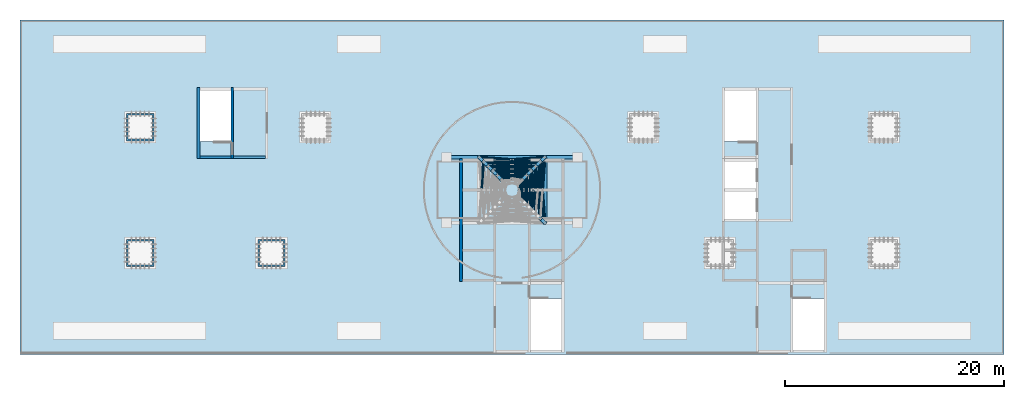
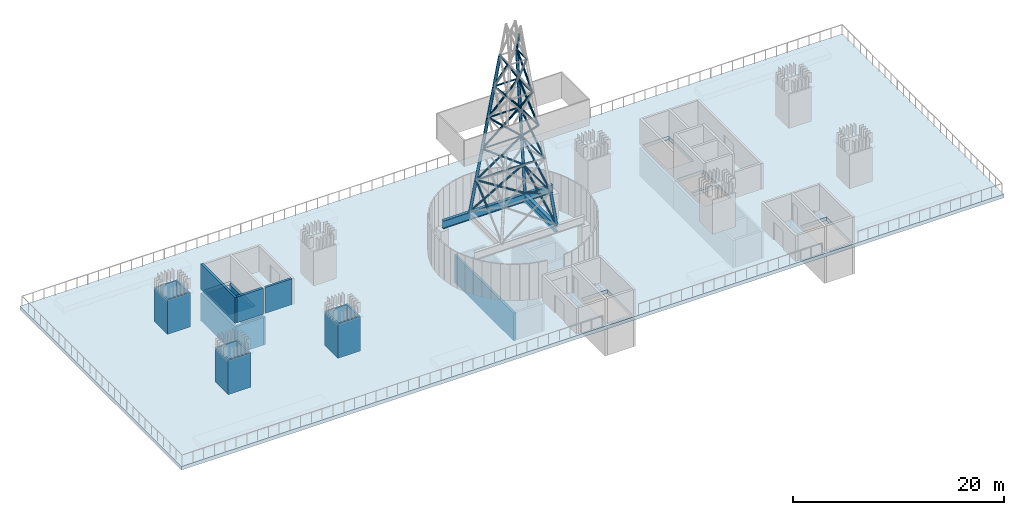
# One storey, part 2 of 8: 49 members, 10 walls, 2 beams, 1 slab.
"""IFC4 building model written with IfcOpenShell, lengths in metres."""

from ifc_helpers import new_model, si_unit, direction, frame, frame_2d, origin, origin_2d, place, context, subcontext, project, spatial, polyline, rectangle, hollow_circle, i_section, outline, extrude, material, layer, layer_set, material_profile, profile_set, type_object, element, save


model = new_model("IFC4")

# Units and contexts
model_context = context("Model", 3, precision=1e-05, world=origin(), true_north=direction((0.0, 1.0)))
body_context = subcontext(model_context, "Body", "Model", "MODEL_VIEW")
ifc_project = project(units=[si_unit("LENGTHUNIT", "METRE"), si_unit("AREAUNIT", "SQUARE_METRE"), si_unit("VOLUMEUNIT", "CUBIC_METRE"), si_unit("PLANEANGLEUNIT", "RADIAN"), si_unit("MASSUNIT", "GRAM", prefix="KILO")], contexts=[model_context])

# Site, building, storey
site_placement = place(None, origin())
site = spatial("IfcSite", under=ifc_project, at=site_placement, CompositionType="ELEMENT")
building_placement = place(site_placement, origin())
building = spatial("IfcBuilding", under=site, at=building_placement, Name="Mahtab Terrace Research Tower", CompositionType="ELEMENT")
storey_placement = place(building_placement, frame((0.0, 0.0, 289.699951171875)))
storey = spatial("IfcBuildingStorey", under=building, at=storey_placement, Name="L70", CompositionType="ELEMENT", Elevation=289.699951171875)

# Members
ifc_material_1 = material(Name="Steel ASTM A500 Gr C", Category="steel")
ifc_material_profile_1 = material_profile(ifc_material_1, hollow_circle(Radius=0.161865234375, WallThickness=0.0126953125, at=origin_2d()), Name="HSS12.750X0.500")
ifc_profile_set_1 = profile_set([ifc_material_profile_1], Name="Steel ASTM A500 Gr C")
member_type_1 = type_object("IfcMemberType", Name="HSS 12.750x0.500 mast leg ML12", PredefinedType="CHORD", material=ifc_profile_set_1)
for number, where, z_axis, x_axis, name in (
    (1, (3.0, 2.75, 3.900146484375), (-0.110749066459, 0.110749066459, 0.987658487817), (-0.707106781187, -0.707106781187, 0.0), "Mast leg 2 panel 1"),
    (2, (3.0, 8.75, 3.900146484375), (-0.110749066459, -0.110749066459, 0.987658487817), (0.707106781187, -0.707106781187, 0.0), "Mast leg 3 panel 1"),
    (3, (-3.0, 8.75, 3.900146484375), (0.110749066459, -0.110749066459, 0.987658487817), (0.707106781187, 0.707106781187, 0.0), "Mast leg 4 panel 1"),
):
    element("IfcMember", number, at=place(storey_placement, frame(where, z_axis=z_axis, x_axis=x_axis)), inside=storey, type_object=member_type_1, Name=name, PredefinedType="CHORD", context=body_context, shape_type="SweptSolid", body=[
        extrude(hollow_circle(Radius=0.161865234375, WallThickness=0.0126953125, at=origin_2d()), origin(), (0.0, 0.0, 1.0), 3.762939453125),
    ])
for number, where, z_axis, x_axis, name in (
    (4, (2.583251953125, 8.333251953125, 7.61669921875), (-0.110678684922, -0.110678684922, 0.987674266855), (0.707106781187, -0.707106781187, 0.0), "Mast leg 3 panel 2"),
    (5, (-2.583251953125, 8.333251953125, 7.61669921875), (0.110678684922, -0.110678684922, 0.987674266855), (0.707106781187, 0.707106781187, 0.0), "Mast leg 4 panel 2"),
):
    element("IfcMember", number, at=place(storey_placement, frame(where, z_axis=z_axis, x_axis=x_axis)), inside=storey, type_object=member_type_1, Name=name, PredefinedType="CHORD", context=body_context, shape_type="SweptSolid", body=[
        extrude(hollow_circle(Radius=0.161865234375, WallThickness=0.0126953125, at=origin_2d()), origin(), (0.0, 0.0, 1.0), 3.76318359375),
    ])
for number, where, z_axis, x_axis, name in (
    (6, (2.166748046875, 7.916748046875, 11.33349609375), (-0.110749066459, -0.110749066459, 0.987658487817), (0.707106781187, -0.707106781187, 0.0), "Mast leg 3 panel 3"),
    (7, (-2.166748046875, 7.916748046875, 11.33349609375), (0.110749066459, -0.110749066459, 0.987658487817), (0.707106781187, 0.707106781187, 0.0), "Mast leg 4 panel 3"),
    (8, (1.75, 7.5, 15.050048828125), (-0.110749066459, -0.110749066459, 0.987658487817), (0.707106781187, -0.707106781187, 0.0), "Mast leg 3 panel 4"),
    (9, (-1.75, 7.5, 15.050048828125), (0.110749066459, -0.110749066459, 0.987658487817), (0.707106781187, 0.707106781187, 0.0), "Mast leg 4 panel 4"),
):
    element("IfcMember", number, at=place(storey_placement, frame(where, z_axis=z_axis, x_axis=x_axis)), inside=storey, type_object=member_type_1, Name=name, PredefinedType="CHORD", context=body_context, shape_type="SweptSolid", body=[
        extrude(hollow_circle(Radius=0.161865234375, WallThickness=0.0126953125, at=origin_2d()), origin(), (0.0, 0.0, 1.0), 3.762939453125),
    ])
for number, where, z_axis, x_axis, name in (
    (10, (1.333251953125, 7.083251953125, 18.7666015625), (-0.110678684922, -0.110678684922, 0.987674266855), (0.707106781187, -0.707106781187, 0.0), "Mast leg 3 panel 5"),
    (11, (-1.333251953125, 7.083251953125, 18.7666015625), (0.110678684922, -0.110678684922, 0.987674266855), (0.707106781187, 0.707106781187, 0.0), "Mast leg 4 panel 5"),
):
    element("IfcMember", number, at=place(storey_placement, frame(where, z_axis=z_axis, x_axis=x_axis)), inside=storey, type_object=member_type_1, Name=name, PredefinedType="CHORD", context=body_context, shape_type="SweptSolid", body=[
        extrude(hollow_circle(Radius=0.161865234375, WallThickness=0.0126953125, at=origin_2d()), origin(), (0.0, 0.0, 1.0), 3.76318359375),
    ])
ifc_material_profile_2 = material_profile(ifc_material_1, hollow_circle(Radius=0.084228515625, WallThickness=0.007080078125, at=origin_2d()), Name="HSS6.625X0.280")
ifc_profile_set_2 = profile_set([ifc_material_profile_2], Name="Steel ASTM A500 Gr C")
member_type_2 = type_object("IfcMemberType", Name="HSS 6.625x0.280 mast ring MR66", PredefinedType="STRUT", material=ifc_profile_set_2)
for number, where, z_axis, x_axis, name in (
    (12, (2.583251953125, 3.166748046875, 7.61669921875), (0.0, 1.0, 0.0), (-1.0, 0.0, 0.0), "Mast ring 2 panel 1"),
    (13, (2.583251953125, 8.333251953125, 7.61669921875), (-1.0, 0.0, 0.0), (0.0, -1.0, 0.0), "Mast ring 3 panel 1"),
):
    element("IfcMember", number, at=place(storey_placement, frame(where, z_axis=z_axis, x_axis=x_axis)), inside=storey, type_object=member_type_2, Name=name, PredefinedType="STRUT", context=body_context, shape_type="SweptSolid", body=[
        extrude(hollow_circle(Radius=0.084228515625, WallThickness=0.007080078125, at=origin_2d()), origin(), (0.0, 0.0, 1.0), 5.16650390625),
    ])
for number, where, z_axis, x_axis, name in (
    (14, (2.166748046875, 3.583251953125, 11.33349609375), (0.0, 1.0, 0.0), (-1.0, 0.0, 0.0), "Mast ring 2 panel 2"),
    (15, (2.166748046875, 7.916748046875, 11.33349609375), (-1.0, 0.0, 0.0), (0.0, -1.0, 0.0), "Mast ring 3 panel 2"),
):
    element("IfcMember", number, at=place(storey_placement, frame(where, z_axis=z_axis, x_axis=x_axis)), inside=storey, type_object=member_type_2, Name=name, PredefinedType="STRUT", context=body_context, shape_type="SweptSolid", body=[
        extrude(hollow_circle(Radius=0.084228515625, WallThickness=0.007080078125, at=origin_2d()), origin(), (0.0, 0.0, 1.0), 4.33349609375),
    ])
for number, where, z_axis, x_axis, name in (
    (16, (1.75, 4.0, 15.050048828125), (0.0, 1.0, 0.0), (-1.0, 0.0, 0.0), "Mast ring 2 panel 3"),
    (17, (1.75, 7.5, 15.050048828125), (-1.0, 0.0, 0.0), (0.0, -1.0, 0.0), "Mast ring 3 panel 3"),
):
    element("IfcMember", number, at=place(storey_placement, frame(where, z_axis=z_axis, x_axis=x_axis)), inside=storey, type_object=member_type_2, Name=name, PredefinedType="STRUT", context=body_context, shape_type="SweptSolid", body=[
        extrude(hollow_circle(Radius=0.084228515625, WallThickness=0.007080078125, at=origin_2d()), origin(), (0.0, 0.0, 1.0), 3.5),
    ])
for number, where, z_axis, x_axis, name in (
    (18, (1.333251953125, 4.416748046875, 18.7666015625), (0.0, 1.0, 0.0), (-1.0, 0.0, 0.0), "Mast ring 2 panel 4"),
    (19, (1.333251953125, 7.083251953125, 18.7666015625), (-1.0, 0.0, 0.0), (0.0, -1.0, 0.0), "Mast ring 3 panel 4"),
):
    element("IfcMember", number, at=place(storey_placement, frame(where, z_axis=z_axis, x_axis=x_axis)), inside=storey, type_object=member_type_2, Name=name, PredefinedType="STRUT", context=body_context, shape_type="SweptSolid", body=[
        extrude(hollow_circle(Radius=0.084228515625, WallThickness=0.007080078125, at=origin_2d()), origin(), (0.0, 0.0, 1.0), 2.66650390625),
    ])
member_1_placement = place(storey_placement, frame((0.916748046875, 4.833251953125, 22.4833984375), z_axis=(0.0, 1.0, 0.0), x_axis=(-1.0, 0.0, 0.0)))
element("IfcMember", 20, at=member_1_placement, inside=storey, type_object=member_type_2, Name="Mast ring 2 panel 5", PredefinedType="STRUT", context=body_context, shape_type="SweptSolid", body=[
    extrude(hollow_circle(Radius=0.084228515625, WallThickness=0.007080078125, at=origin_2d()), origin(), (0.0, 0.0, 1.0), 1.83349609375),
])
ifc_material_profile_3 = material_profile(ifc_material_1, hollow_circle(Radius=0.109619140625, WallThickness=0.0126953125, at=origin_2d()), Name="HSS8.625X0.500")
ifc_profile_set_3 = profile_set([ifc_material_profile_3], Name="Steel ASTM A500 Gr C")
member_type_3 = type_object("IfcMemberType", Name="HSS 8.625x0.500 mast brace MB86", PredefinedType="BRACE", material=ifc_profile_set_3)
member_2_placement = place(storey_placement, frame((3.0, 2.75, 3.900146484375), z_axis=(-0.062015566489, 0.830834206232, 0.553053877365), x_axis=(-0.997225833268, -0.074435458367, 0.0)))
element("IfcMember", 21, at=member_2_placement, inside=storey, type_object=member_type_3, Name="Mast brace 2 panel 1", PredefinedType="BRACE", context=body_context, shape_type="SweptSolid", body=[
    extrude(hollow_circle(Radius=0.109619140625, WallThickness=0.0126953125, at=origin_2d()), origin(), (0.0, 0.0, 1.0), 6.719970703125),
])
member_3_placement = place(storey_placement, frame((3.0, 8.75, 3.900146484375), z_axis=(-0.062003085021, -0.830854862311, 0.553024244697), x_axis=(0.997227082501, -0.074418720268, 0.0)))
element("IfcMember", 22, at=member_3_placement, inside=storey, type_object=member_type_3, Name="Mast brace 2 panel 1 b1", PredefinedType="BRACE", context=body_context, shape_type="SweptSolid", body=[
    extrude(hollow_circle(Radius=0.109619140625, WallThickness=0.0126953125, at=origin_2d()), origin(), (0.0, 0.0, 1.0), 3.61083984375),
])
member_4_placement = place(storey_placement, frame((3.0, 8.75, 3.900146484375), z_axis=(-0.830834206232, -0.062015566489, 0.553053877365), x_axis=(0.074435458367, -0.997225833268, 0.0)))
element("IfcMember", 23, at=member_4_placement, inside=storey, type_object=member_type_3, Name="Mast brace 3 panel 1", PredefinedType="BRACE", context=body_context, shape_type="SweptSolid", body=[
    extrude(hollow_circle(Radius=0.109619140625, WallThickness=0.0126953125, at=origin_2d()), origin(), (0.0, 0.0, 1.0), 6.719970703125),
])
member_5_placement = place(storey_placement, frame((-3.0, 8.75, 3.900146484375), z_axis=(0.830854862311, -0.062003085021, 0.553024244697), x_axis=(0.074418720268, 0.997227082501, 0.0)))
element("IfcMember", 24, at=member_5_placement, inside=storey, type_object=member_type_3, Name="Mast brace 3 panel 1 b1", PredefinedType="BRACE", context=body_context, shape_type="SweptSolid", body=[
    extrude(hollow_circle(Radius=0.109619140625, WallThickness=0.0126953125, at=origin_2d()), origin(), (0.0, 0.0, 1.0), 3.61083984375),
])
for number, where, z_axis, x_axis, name in (
    (25, (0.0, 8.526123046875, 5.89697265625), (0.830810217537, -0.062030060661, 0.553088287717), (0.074454896692, 0.997224382152, 0.0), "Mast brace 3 panel 1 b2"),
    (26, (-2.776123046875, 5.75, 5.89697265625), (0.062030060661, 0.830810217537, 0.553088287717), (-0.997224382152, 0.074454896692, 0.0), "Mast brace 4 panel 1 b2"),
):
    element("IfcMember", number, at=place(storey_placement, frame(where, z_axis=z_axis, x_axis=x_axis)), inside=storey, type_object=member_type_3, Name=name, PredefinedType="BRACE", context=body_context, shape_type="SweptSolid", body=[
        extrude(hollow_circle(Radius=0.109619140625, WallThickness=0.0126953125, at=origin_2d()), origin(), (0.0, 0.0, 1.0), 3.109375),
    ])
member_6_placement = place(storey_placement, frame((2.583251953125, 3.166748046875, 7.61669921875), z_axis=(-0.068892523623, 0.78568167621, 0.614782989238), x_axis=(-0.996177694753, -0.087349873933, 0.0)))
element("IfcMember", 27, at=member_6_placement, inside=storey, type_object=member_type_3, Name="Mast brace 2 panel 2", PredefinedType="BRACE", context=body_context, shape_type="SweptSolid", body=[
    extrude(hollow_circle(Radius=0.109619140625, WallThickness=0.0126953125, at=origin_2d()), origin(), (0.0, 0.0, 1.0), 6.045654296875),
])
member_7_placement = place(storey_placement, frame((2.583251953125, 8.333251953125, 7.61669921875), z_axis=(-0.068909090997, -0.785697297239, 0.614761168495), x_axis=(0.996176017867, -0.087368995802, 0.0)))
element("IfcMember", 28, at=member_7_placement, inside=storey, type_object=member_type_3, Name="Mast brace 2 panel 2 b1", PredefinedType="BRACE", context=body_context, shape_type="SweptSolid", body=[
    extrude(hollow_circle(Radius=0.109619140625, WallThickness=0.0126953125, at=origin_2d()), origin(), (0.0, 0.0, 1.0), 3.287841796875),
])
member_8_placement = place(storey_placement, frame((2.583251953125, 8.333251953125, 7.61669921875), z_axis=(-0.78568167621, -0.068892523623, 0.614782989238), x_axis=(0.087349873933, -0.996177694753, 0.0)))
element("IfcMember", 29, at=member_8_placement, inside=storey, type_object=member_type_3, Name="Mast brace 3 panel 2", PredefinedType="BRACE", context=body_context, shape_type="SweptSolid", body=[
    extrude(hollow_circle(Radius=0.109619140625, WallThickness=0.0126953125, at=origin_2d()), origin(), (0.0, 0.0, 1.0), 6.045654296875),
])
member_9_placement = place(storey_placement, frame((-2.583251953125, 8.333251953125, 7.61669921875), z_axis=(0.785697297239, -0.068909090997, 0.614761168495), x_axis=(0.087368995802, 0.996176017867, 0.0)))
element("IfcMember", 30, at=member_9_placement, inside=storey, type_object=member_type_3, Name="Mast brace 3 panel 2 b1", PredefinedType="BRACE", context=body_context, shape_type="SweptSolid", body=[
    extrude(hollow_circle(Radius=0.109619140625, WallThickness=0.0126953125, at=origin_2d()), origin(), (0.0, 0.0, 1.0), 3.287841796875),
])
member_10_placement = place(storey_placement, frame((0.0, 8.106689453125, 9.637939453125), z_axis=(0.785663052213, -0.068872772352, 0.614809002549), x_axis=(0.087327076231, 0.996179693508, 0.0)))
element("IfcMember", 31, at=member_10_placement, inside=storey, type_object=member_type_3, Name="Mast brace 3 panel 2 b2", PredefinedType="BRACE", context=body_context, shape_type="SweptSolid", body=[
    extrude(hollow_circle(Radius=0.109619140625, WallThickness=0.0126953125, at=origin_2d()), origin(), (0.0, 0.0, 1.0), 2.7578125),
])
member_11_placement = place(storey_placement, frame((2.166748046875, 3.583251953125, 11.33349609375), z_axis=(-0.076955045567, 0.723251198615, 0.686283924236), x_axis=(-0.994386970853, -0.105804310867, 0.0)))
element("IfcMember", 32, at=member_11_placement, inside=storey, type_object=member_type_3, Name="Mast brace 2 panel 3", PredefinedType="BRACE", context=body_context, shape_type="SweptSolid", body=[
    extrude(hollow_circle(Radius=0.109619140625, WallThickness=0.0126953125, at=origin_2d()), origin(), (0.0, 0.0, 1.0), 5.41552734375),
])
member_12_placement = place(storey_placement, frame((2.166748046875, 7.916748046875, 11.33349609375), z_axis=(-0.076931245958, -0.723267804955, 0.686269091327), x_axis=(0.994390668432, -0.105769553915, 0.0)))
element("IfcMember", 33, at=member_12_placement, inside=storey, type_object=member_type_3, Name="Mast brace 2 panel 3 b1", PredefinedType="BRACE", context=body_context, shape_type="SweptSolid", body=[
    extrude(hollow_circle(Radius=0.109619140625, WallThickness=0.0126953125, at=origin_2d()), origin(), (0.0, 0.0, 1.0), 2.995849609375),
])
member_13_placement = place(storey_placement, frame((1.936279296875, 5.75, 13.389404296875), z_axis=(-0.076984511229, -0.723230637604, 0.686302287525), x_axis=(0.994382391081, -0.105847344363, 0.0)))
element("IfcMember", 34, at=member_13_placement, inside=storey, type_object=member_type_3, Name="Mast brace 2 panel 3 b2", PredefinedType="BRACE", context=body_context, shape_type="SweptSolid", body=[
    extrude(hollow_circle(Radius=0.109619140625, WallThickness=0.0126953125, at=origin_2d()), origin(), (0.0, 0.0, 1.0), 2.419677734375),
])
member_14_placement = place(storey_placement, frame((2.166748046875, 7.916748046875, 11.33349609375), z_axis=(-0.723251198615, -0.076955045567, 0.686283924236), x_axis=(0.105804310867, -0.994386970853, 0.0)))
element("IfcMember", 35, at=member_14_placement, inside=storey, type_object=member_type_3, Name="Mast brace 3 panel 3", PredefinedType="BRACE", context=body_context, shape_type="SweptSolid", body=[
    extrude(hollow_circle(Radius=0.109619140625, WallThickness=0.0126953125, at=origin_2d()), origin(), (0.0, 0.0, 1.0), 5.41552734375),
])
member_15_placement = place(storey_placement, frame((-2.166748046875, 7.916748046875, 11.33349609375), z_axis=(0.723267804955, -0.076931245958, 0.686269091327), x_axis=(0.105769553915, 0.994390668432, 0.0)))
element("IfcMember", 36, at=member_15_placement, inside=storey, type_object=member_type_3, Name="Mast brace 3 panel 3 b1", PredefinedType="BRACE", context=body_context, shape_type="SweptSolid", body=[
    extrude(hollow_circle(Radius=0.109619140625, WallThickness=0.0126953125, at=origin_2d()), origin(), (0.0, 0.0, 1.0), 2.995849609375),
])
member_16_placement = place(storey_placement, frame((0.0, 7.686279296875, 13.389404296875), z_axis=(0.723230637604, -0.076984511229, 0.686302287525), x_axis=(0.105847344363, 0.994382391081, 0.0)))
element("IfcMember", 37, at=member_16_placement, inside=storey, type_object=member_type_3, Name="Mast brace 3 panel 3 b2", PredefinedType="BRACE", context=body_context, shape_type="SweptSolid", body=[
    extrude(hollow_circle(Radius=0.109619140625, WallThickness=0.0126953125, at=origin_2d()), origin(), (0.0, 0.0, 1.0), 2.419677734375),
])
member_17_placement = place(storey_placement, frame((1.75, 4.0, 15.050048828125), z_axis=(-0.085981573703, 0.636122609428, 0.766782364663), x_axis=(-0.99098848963, -0.133947054541, 0.0)))
element("IfcMember", 38, at=member_17_placement, inside=storey, type_object=member_type_3, Name="Mast brace 2 panel 4", PredefinedType="BRACE", context=body_context, shape_type="SweptSolid", body=[
    extrude(hollow_circle(Radius=0.109619140625, WallThickness=0.0126953125, at=origin_2d()), origin(), (0.0, 0.0, 1.0), 4.846923828125),
])
member_18_placement = place(storey_placement, frame((1.75, 7.5, 15.050048828125), z_axis=(-0.08598956313, -0.636092041814, 0.766806826635), x_axis=(0.99098598282, -0.133965599519, 0.0)))
element("IfcMember", 39, at=member_18_placement, inside=storey, type_object=member_type_3, Name="Mast brace 2 panel 4 b1", PredefinedType="BRACE", context=body_context, shape_type="SweptSolid", body=[
    extrude(hollow_circle(Radius=0.109619140625, WallThickness=0.0126953125, at=origin_2d()), origin(), (0.0, 0.0, 1.0), 2.751220703125),
])
member_19_placement = place(storey_placement, frame((1.513427734375, 5.75, 17.15966796875), z_axis=(-0.085971085566, -0.636162734788, 0.766750250938), x_axis=(0.990991779512, -0.133922712558, 0.0)))
element("IfcMember", 40, at=member_19_placement, inside=storey, type_object=member_type_3, Name="Mast brace 2 panel 4 b2", PredefinedType="BRACE", context=body_context, shape_type="SweptSolid", body=[
    extrude(hollow_circle(Radius=0.109619140625, WallThickness=0.0126953125, at=origin_2d()), origin(), (0.0, 0.0, 1.0), 2.095703125),
])
member_20_placement = place(storey_placement, frame((1.75, 7.5, 15.050048828125), z_axis=(-0.636122609428, -0.085981573703, 0.766782364663), x_axis=(0.133947054541, -0.99098848963, 0.0)))
element("IfcMember", 41, at=member_20_placement, inside=storey, type_object=member_type_3, Name="Mast brace 3 panel 4", PredefinedType="BRACE", context=body_context, shape_type="SweptSolid", body=[
    extrude(hollow_circle(Radius=0.109619140625, WallThickness=0.0126953125, at=origin_2d()), origin(), (0.0, 0.0, 1.0), 4.846923828125),
])
member_21_placement = place(storey_placement, frame((-1.75, 7.5, 15.050048828125), z_axis=(0.636092041814, -0.08598956313, 0.766806826635), x_axis=(0.133965599519, 0.99098598282, 0.0)))
element("IfcMember", 42, at=member_21_placement, inside=storey, type_object=member_type_3, Name="Mast brace 3 panel 4 b1", PredefinedType="BRACE", context=body_context, shape_type="SweptSolid", body=[
    extrude(hollow_circle(Radius=0.109619140625, WallThickness=0.0126953125, at=origin_2d()), origin(), (0.0, 0.0, 1.0), 2.751220703125),
])
member_22_placement = place(storey_placement, frame((0.0, 7.263427734375, 17.15966796875), z_axis=(0.636162734788, -0.085971085566, 0.766750250938), x_axis=(0.133922712558, 0.990991779512, 0.0)))
element("IfcMember", 43, at=member_22_placement, inside=storey, type_object=member_type_3, Name="Mast brace 3 panel 4 b2", PredefinedType="BRACE", context=body_context, shape_type="SweptSolid", body=[
    extrude(hollow_circle(Radius=0.109619140625, WallThickness=0.0126953125, at=origin_2d()), origin(), (0.0, 0.0, 1.0), 2.095703125),
])
member_23_placement = place(storey_placement, frame((1.333251953125, 4.416748046875, 18.7666015625), z_axis=(-0.095425681045, 0.515500044846, 0.851559535887), x_axis=(-0.983294737974, -0.182020488605, 0.0)))
element("IfcMember", 44, at=member_23_placement, inside=storey, type_object=member_type_3, Name="Mast brace 2 panel 5", PredefinedType="BRACE", context=body_context, shape_type="SweptSolid", body=[
    extrude(hollow_circle(Radius=0.109619140625, WallThickness=0.0126953125, at=origin_2d()), origin(), (0.0, 0.0, 1.0), 4.36474609375),
])
member_24_placement = place(storey_placement, frame((1.333251953125, 7.083251953125, 18.7666015625), z_axis=(-0.09542785196, -0.515461423891, 0.851582671002), x_axis=(0.98329155573, -0.182037678601, 0.0)))
element("IfcMember", 45, at=member_24_placement, inside=storey, type_object=member_type_3, Name="Mast brace 2 panel 5 b1", PredefinedType="BRACE", context=body_context, shape_type="SweptSolid", body=[
    extrude(hollow_circle(Radius=0.109619140625, WallThickness=0.0126953125, at=origin_2d()), origin(), (0.0, 0.0, 1.0), 2.58642578125),
])
member_25_placement = place(storey_placement, frame((1.08642578125, 5.75, 20.96923828125), z_axis=(-0.095422522896, -0.515556220826, 0.851525880576), x_axis=(0.983299365501, -0.181995488422, 0.0)))
element("IfcMember", 46, at=member_25_placement, inside=storey, type_object=member_type_3, Name="Mast brace 2 panel 5 b2", PredefinedType="BRACE", context=body_context, shape_type="SweptSolid", body=[
    extrude(hollow_circle(Radius=0.109619140625, WallThickness=0.0126953125, at=origin_2d()), origin(), (0.0, 0.0, 1.0), 1.778076171875),
])
member_26_placement = place(storey_placement, frame((1.333251953125, 7.083251953125, 18.7666015625), z_axis=(-0.515500044846, -0.095425681045, 0.851559535887), x_axis=(0.182020488605, -0.983294737974, 0.0)))
element("IfcMember", 47, at=member_26_placement, inside=storey, type_object=member_type_3, Name="Mast brace 3 panel 5", PredefinedType="BRACE", context=body_context, shape_type="SweptSolid", body=[
    extrude(hollow_circle(Radius=0.109619140625, WallThickness=0.0126953125, at=origin_2d()), origin(), (0.0, 0.0, 1.0), 4.36474609375),
])
member_27_placement = place(storey_placement, frame((-1.333251953125, 7.083251953125, 18.7666015625), z_axis=(0.515461423891, -0.09542785196, 0.851582671002), x_axis=(0.182037678601, 0.98329155573, 0.0)))
element("IfcMember", 48, at=member_27_placement, inside=storey, type_object=member_type_3, Name="Mast brace 3 panel 5 b1", PredefinedType="BRACE", context=body_context, shape_type="SweptSolid", body=[
    extrude(hollow_circle(Radius=0.109619140625, WallThickness=0.0126953125, at=origin_2d()), origin(), (0.0, 0.0, 1.0), 2.58642578125),
])
member_28_placement = place(storey_placement, frame((0.916748046875, 6.666748046875, 22.4833984375), z_axis=(-0.104159592357, -0.354274700454, 0.929322449927), x_axis=(0.959393975731, -0.282069493797, 0.0)))
element("IfcMember", 49, at=member_28_placement, inside=storey, type_object=member_type_3, Name="Mast brace 2 panel 6 b1", PredefinedType="BRACE", context=body_context, shape_type="SweptSolid", body=[
    extrude(hollow_circle(Radius=0.109619140625, WallThickness=0.0126953125, at=origin_2d()), origin(), (0.0, 0.0, 1.0), 2.587646484375),
])

# Beams
ifc_material_2 = material(Name="Steel ASTM A992 Gr 50", Category="steel")
ifc_material_profile_4 = material_profile(ifc_material_2, i_section(OverallWidth=0.398681640625, OverallDepth=0.85595703125, WebThickness=0.018310546875, FlangeThickness=0.029296875, at=origin_2d()), Name="W33X201")
ifc_profile_set_4 = profile_set([ifc_material_profile_4], Name="Steel ASTM A992 Gr 50")
beam_type_1 = type_object("IfcBeamType", Name="W33x201 beam GR33", PredefinedType="BEAM", material=ifc_profile_set_4)
beam_1_placement = place(storey_placement, frame((3.0, 2.75, 3.47216796875), z_axis=(0.0, 1.0, 0.0), x_axis=(-1.0, 0.0, 0.0)))
element("IfcBeam", 50, at=beam_1_placement, inside=storey, type_object=beam_type_1, Name="Mast grillage girder 4", PredefinedType="BEAM", context=body_context, shape_type="SweptSolid", body=[
    extrude(i_section(OverallWidth=0.398681640625, OverallDepth=0.85595703125, WebThickness=0.018310546875, FlangeThickness=0.029296875, at=origin_2d()), origin(), (0.0, 0.0, 1.0), 6.0),
])
ifc_material_profile_5 = material_profile(ifc_material_2, i_section(OverallWidth=0.307373046875, OverallDepth=0.9423828125, WebThickness=0.022216796875, FlangeThickness=0.039794921875, at=origin_2d()), Name="W36X232")
ifc_profile_set_5 = profile_set([ifc_material_profile_5], Name="Steel ASTM A992 Gr 50")
beam_type_2 = type_object("IfcBeamType", Name="W36x232 beam GR36", PredefinedType="BEAM", material=ifc_profile_set_5)
beam_2_placement = place(storey_placement, frame((-6.0, 8.75, 3.428955078125), z_axis=(1.0, 0.0, 0.0), x_axis=(0.0, 1.0, 0.0)))
element("IfcBeam", 51, at=beam_2_placement, inside=storey, type_object=beam_type_2, Name="Mast grillage girder 2", PredefinedType="BEAM", context=body_context, shape_type="SweptSolid", body=[
    extrude(i_section(OverallWidth=0.307373046875, OverallDepth=0.9423828125, WebThickness=0.022216796875, FlangeThickness=0.039794921875, at=origin_2d()), origin(), (0.0, 0.0, 1.0), 12.0),
])

# Slab
ifc_material_3 = material(Name="Concrete C40/50", Category="concrete")
ifc_layer_1 = layer(ifc_material_3, 0.409912109375)
ifc_layer_set_1 = layer_set([ifc_layer_1], Name="PT plateau slab 410")
slab_type = type_object("IfcSlabType", Name="PT plateau slab 410", PredefinedType="ROOF", material=ifc_layer_set_1)
slab_placement = place(storey_placement, frame((0.0, 0.0, -0.39990234375)))
element("IfcSlab", 52, at=slab_placement, inside=storey, type_object=slab_type, Name="Plateau slab L70", PredefinedType="ROOF", context=body_context, shape_type="SweptSolid", body=[
    extrude(outline(polyline([(-45.0, -9.306884765625), (45.0, -9.306884765625), (45.0, 21.306884765625), (-45.0, 21.306884765625), (-45.0, -9.306884765625)]), holes=[polyline([(4.550048828125, -4.177001953125), (4.550048828125, -8.875), (1.699951171875, -8.875), (1.699951171875, -4.177001953125), (4.550048828125, -4.177001953125)]), polyline([(28.550048828125, -8.875), (25.699951171875, -8.875), (25.699951171875, -4.177001953125), (28.550048828125, -4.177001953125), (28.550048828125, -8.875)]), polyline([(22.300048828125, 3.125), (19.449951171875, 3.125), (19.449951171875, 5.625), (22.300048828125, 5.625), (22.300048828125, 3.125)]), polyline([(22.300048828125, 8.375), (22.300048828125, 5.875), (19.449951171875, 5.875), (19.449951171875, 8.375), (22.300048828125, 8.375)]), polyline([(-25.699951171875, 10.177001953125), (-28.550048828125, 10.177001953125), (-28.550048828125, 14.875), (-25.699951171875, 14.875), (-25.699951171875, 10.177001953125)]), polyline([(22.300048828125, 10.177001953125), (19.449951171875, 10.177001953125), (19.449951171875, 14.875), (22.300048828125, 14.875), (22.300048828125, 10.177001953125)])]), origin(), (0.0, 0.0, 1.0), 0.409912109375),
])

# Walls
ifc_material_4 = material(Name="Black aluminium cladding panel", Category="aluminium")
ifc_layer_2 = layer(ifc_material_4, 0.14990234375)
ifc_layer_set_2 = layer_set([ifc_layer_2], Name="Badgir exhaust stack wall 150")
wall_type_1 = type_object("IfcWallType", Name="Badgir exhaust stack wall 150", PredefinedType="USERDEFINED", material=ifc_layer_set_2)
wall_1_placement = place(storey_placement, origin())
element("IfcWall", 53, at=wall_1_placement, inside=storey, type_object=wall_type_1, Name="Badgir exhaust stack 1", ObjectType="PLANT STACK", PredefinedType="USERDEFINED", context=body_context, shape_type="SweptSolid", body=[
    extrude(outline(polyline([(-32.75, -1.25), (-32.75, 1.25), (-35.25, 1.25), (-35.25, -1.25), (-32.75, -1.25)]), holes=[polyline([(-32.89990234375, -1.10009765625), (-32.89990234375, 1.10009765625), (-35.10009765625, 1.10009765625), (-35.10009765625, -1.10009765625), (-32.89990234375, -1.10009765625)])]), origin(), (0.0, 0.0, 1.0), 4.0),
])
wall_2_placement = place(storey_placement, origin())
element("IfcWall", 54, at=wall_2_placement, inside=storey, type_object=wall_type_1, Name="Badgir exhaust stack 2", ObjectType="PLANT STACK", PredefinedType="USERDEFINED", context=body_context, shape_type="SweptSolid", body=[
    extrude(outline(polyline([(-32.75, 10.25), (-32.75, 12.75), (-35.25, 12.75), (-35.25, 10.25), (-32.75, 10.25)]), holes=[polyline([(-32.89990234375, 10.39990234375), (-32.89990234375, 12.60009765625), (-35.10009765625, 12.60009765625), (-35.10009765625, 10.39990234375), (-32.89990234375, 10.39990234375)])]), origin(), (0.0, 0.0, 1.0), 4.0),
])
wall_3_placement = place(storey_placement, origin())
element("IfcWall", 55, at=wall_3_placement, inside=storey, type_object=wall_type_1, Name="Badgir exhaust stack 3", ObjectType="PLANT STACK", PredefinedType="USERDEFINED", context=body_context, shape_type="SweptSolid", body=[
    extrude(outline(polyline([(-20.75, -1.25), (-20.75, 1.25), (-23.25, 1.25), (-23.25, -1.25), (-20.75, -1.25)]), holes=[polyline([(-20.89990234375, -1.10009765625), (-20.89990234375, 1.10009765625), (-23.10009765625, 1.10009765625), (-23.10009765625, -1.10009765625), (-20.89990234375, -1.10009765625)])]), origin(), (0.0, 0.0, 1.0), 4.0),
])
ifc_material_5 = material(Name="Concrete C70/85", Category="concrete")
ifc_layer_3 = layer(ifc_material_5, 0.25)
ifc_layer_set_3 = layer_set([ifc_layer_3], Name="Core wall 250")
wall_type_2 = type_object("IfcWallType", Name="Core wall 250", PredefinedType="SOLIDWALL", material=ifc_layer_set_3)
for number, where, z_axis, x_axis, name in (
    (56, (-28.675048828125, 8.625, -3.599853515625), (0.0, 0.0, 1.0), (0.0, 1.0, 0.0), "Stair ST1 plenum wall W"),
    (57, (-25.574951171875, 8.625, -3.599853515625), (0.0, 0.0, 1.0), (0.0, 1.0, 0.0), "Stair ST1 plenum wall E"),
):
    element("IfcWall", number, at=place(storey_placement, frame(where, z_axis=z_axis, x_axis=x_axis)), inside=storey, type_object=wall_type_2, Name=name, PredefinedType="SOLIDWALL", context=body_context, shape_type="SweptSolid", body=[
        extrude(rectangle(XDim=6.5, YDim=0.25, at=frame_2d((3.25, 0.0))), origin(), (0.0, 0.0, 1.0), 3.199951171875),
    ])
wall_4_placement = place(storey_placement, frame((-28.550048828125, 8.75, -3.599853515625), z_axis=(0.0, 0.0, 1.0), x_axis=(1.0, 0.0, 0.0)))
element("IfcWall", 58, at=wall_4_placement, inside=storey, type_object=wall_type_2, Name="Stair ST1 plenum wall S", PredefinedType="SOLIDWALL", context=body_context, shape_type="SweptSolid", body=[
    extrude(rectangle(XDim=2.85009765625, YDim=0.25, at=frame_2d((1.425048828125, 0.0))), origin(), (0.0, 0.0, 1.0), 3.199951171875),
])
wall_5_placement = place(storey_placement, frame((-28.675048828125, 8.625, 0.0), z_axis=(0.0, 0.0, 1.0), x_axis=(0.0, 1.0, 0.0)))
element("IfcWall", 59, at=wall_5_placement, inside=storey, type_object=wall_type_2, Name="Stair ST1 head house wall W", PredefinedType="SOLIDWALL", context=body_context, shape_type="SweptSolid", body=[
    extrude(rectangle(XDim=6.5, YDim=0.25, at=frame_2d((3.25, 0.0))), origin(), (0.0, 0.0, 1.0), 3.0),
])
wall_6_placement = place(storey_placement, frame((-28.550048828125, 8.75, 0.0), z_axis=(0.0, 0.0, 1.0), x_axis=(1.0, 0.0, 0.0)))
element("IfcWall", 60, at=wall_6_placement, inside=storey, type_object=wall_type_2, Name="Stair ST1 head house wall S", PredefinedType="SOLIDWALL", context=body_context, shape_type="SweptSolid", body=[
    extrude(rectangle(XDim=2.85009765625, YDim=0.25, at=frame_2d((1.425048828125, 0.0))), origin(), (0.0, 0.0, 1.0), 3.0),
])
wall_7_placement = place(storey_placement, frame((-25.449951171875, 8.75, 0.0), z_axis=(0.0, 0.0, 1.0), x_axis=(1.0, 0.0, 0.0)))
element("IfcWall", 61, at=wall_7_placement, inside=storey, type_object=wall_type_2, Name="Roof lobby ST1 wall S", PredefinedType="SOLIDWALL", context=body_context, shape_type="SweptSolid", body=[
    extrude(rectangle(XDim=2.89990234375, YDim=0.25, at=frame_2d((1.449951171875, 0.0))), origin(), (0.0, 0.0, 1.0), 3.0),
])
wall_8_placement = place(storey_placement, frame((-4.675048828125, -2.625, -3.599853515625), z_axis=(0.0, 0.0, 1.0), x_axis=(0.0, 1.0, 0.0)))
element("IfcWall", 62, at=wall_8_placement, inside=storey, type_object=wall_type_2, Name="Core wall B outerW", PredefinedType="SOLIDWALL", context=body_context, shape_type="SweptSolid", body=[
    extrude(rectangle(XDim=11.25, YDim=0.25, at=frame_2d((5.625, 0.0))), origin(), (0.0, 0.0, 1.0), 3.199951171875),
])

save(model, "model.ifc")
